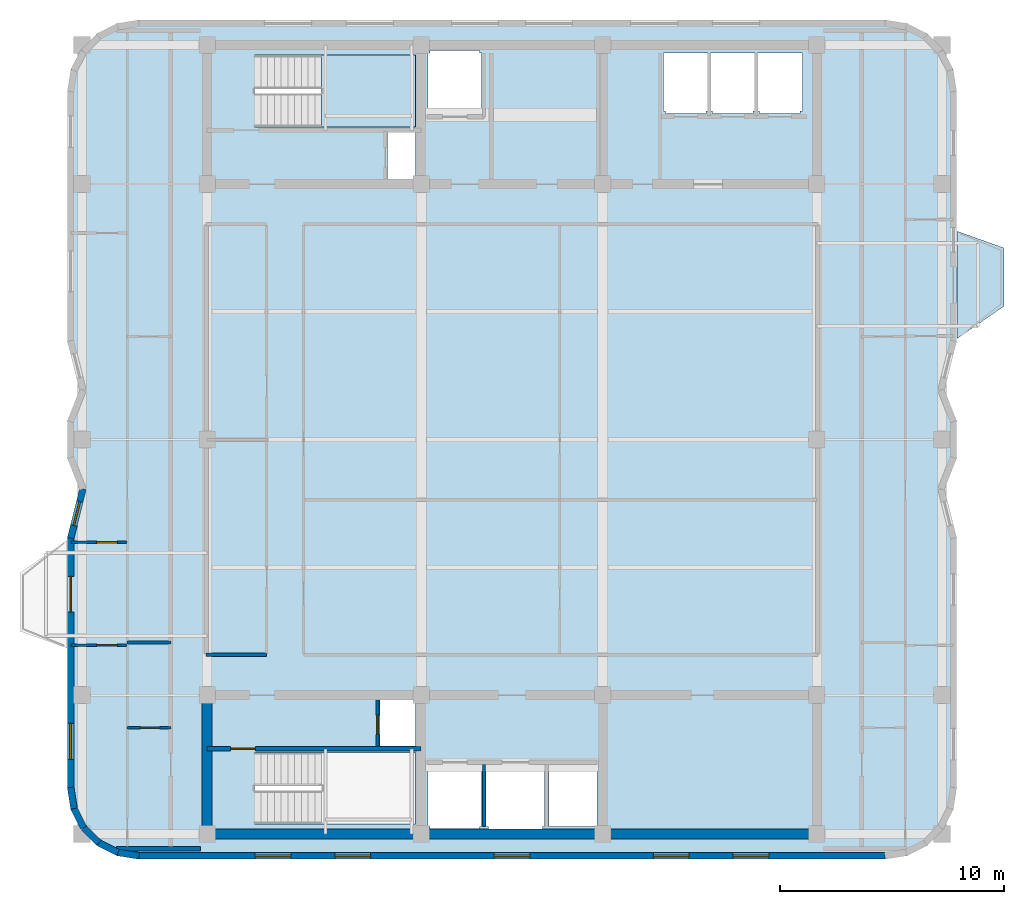
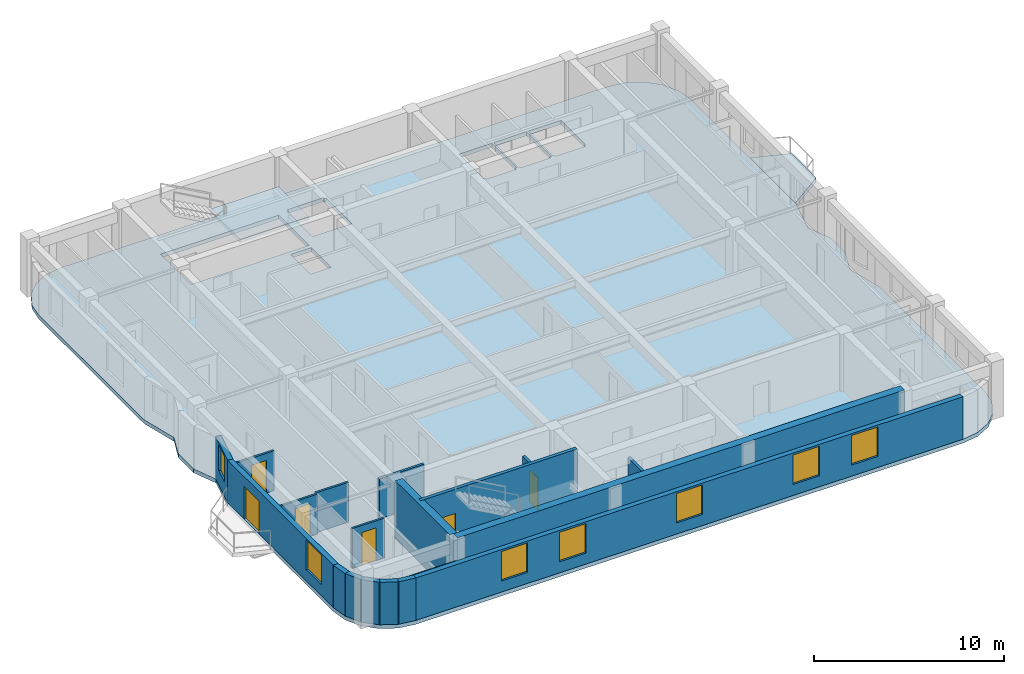
# One storey, part 2 of 8: 19 walls, 7 windows, 6 doors, 3 slabs, 13 openings, 1 element without a shape of its own.
"""IFC4 building model written with IfcOpenShell, lengths in metres."""

from ifc_helpers import new_model, si_unit, direction, frame, frame_2d, origin, place, context, subcontext, project, spatial, polyline, rectangle, outline, extrude, material, layer, layer_set, type_object, element, fill, aggregate, save


model = new_model("IFC4")

# Units and contexts
model_context = context("Model", 3, precision=1e-05, world=origin(), true_north=direction((0.0, 1.0)))
body_context = subcontext(model_context, "Body", "Model", "MODEL_VIEW")
ifc_project = project(units=[si_unit("LENGTHUNIT", "METRE"), si_unit("AREAUNIT", "SQUARE_METRE"), si_unit("VOLUMEUNIT", "CUBIC_METRE"), si_unit("PLANEANGLEUNIT", "RADIAN"), si_unit("MASSUNIT", "GRAM", prefix="KILO")], contexts=[model_context])

# Site, building, storey
site_placement = place(None, origin())
site = spatial("IfcSite", under=ifc_project, at=site_placement, CompositionType="ELEMENT")
building_placement = place(site_placement, origin())
building = spatial("IfcBuilding", under=site, at=building_placement, Name="Svetorya Sky Lyceum", CompositionType="ELEMENT")
storey_placement = place(building_placement, frame((0.0, 0.0, 263.89990234375)))
storey = spatial("IfcBuildingStorey", under=building, at=storey_placement, Name="L66", CompositionType="ELEMENT", Elevation=263.89990234375)

# Slab
ifc_material_1 = material(Name="Concrete C40/50", Category="concrete")
ifc_layer_1 = layer(ifc_material_1, 0.25)
ifc_layer_set_1 = layer_set([ifc_layer_1], Name="Concrete C40/50")
slab_type_1 = type_object("IfcSlabType", Name="SL-BAL-250", PredefinedType="FLOOR", material=ifc_layer_set_1)
slab_1_placement = place(storey_placement, frame((0.0, 0.0, -0.25)))
element("IfcSlab", 1, at=slab_1_placement, inside=storey, type_object=slab_type_1, Name="L66 Chamfered Loggia Balcony BAL-E1", PredefinedType="FLOOR", context=body_context, shape_type="SweptSolid", body=[
    extrude(outline(polyline([(59.050048828125, 32.699951171875), (61.14990234375, 34.14990234375), (61.14990234375, 36.75), (59.050048828125, 37.5), (59.050048828125, 32.699951171875)])), origin(), (0.0, 0.0, 1.0), 0.25),
])

# Stair, slab
stair_type = type_object("IfcStairType", Name="STR-ST-N", PredefinedType="HALF_TURN_STAIR", material=ifc_material_1)
stair_placement = place(storey_placement, origin())
stair = element("IfcStair", 2, at=stair_placement, inside=storey, type_object=stair_type, Name="L66 North Core Smoke-Free Exit Stair N3", PredefinedType="HALF_TURN_STAIR")
ifc_layer_2 = layer(ifc_material_1, 0.199951171875)
ifc_layer_set_2 = layer_set([ifc_layer_2], Name="Concrete C40/50")
slab_type_2 = type_object("IfcSlabType", Name="SL-STR-LAND-200", PredefinedType="LANDING", material=ifc_layer_set_2)
slab_2_placement = place(storey_placement, frame((0.0, 0.0, 1.650146484375)))
slab_2 = element("IfcSlab", 3, at=slab_2_placement, type_object=slab_type_2, Name="ST-N landing 1", PredefinedType="LANDING", context=body_context, shape_type="SweptSolid", body=[
    extrude(outline(polyline([(30.699951171875, 42.14990234375), (34.89990234375, 42.14990234375), (34.89990234375, 45.35009765625), (30.699951171875, 45.35009765625), (30.699951171875, 42.14990234375)])), origin(), (0.0, 0.0, 1.0), 0.199951171875),
])
aggregate(stair, [slab_2])

# Slab
ifc_layer_3 = layer(ifc_material_1, 0.25)
ifc_layer_set_3 = layer_set([ifc_layer_3], Name="Concrete C40/50")
slab_type_3 = type_object("IfcSlabType", Name="SL-TWR-250", PredefinedType="FLOOR", material=ifc_layer_set_3)
slab_3_placement = place(storey_placement, frame((0.0, 0.0, -0.25)))
element("IfcSlab", 4, at=slab_3_placement, inside=storey, type_object=slab_type_3, Name="L66 Structural Floor Slab", PredefinedType="FLOOR", context=body_context, shape_type="SweptSolid", body=[
    extrude(outline(polyline([(19.360107421875, 12.679931640625), (19.5166015625, 11.691162109375), (19.97119140625, 10.799072265625), (20.67919921875, 10.091064453125), (21.571044921875, 9.63671875), (22.56005859375, 9.47998046875), (55.840087890625, 9.47998046875), (56.828857421875, 9.63671875), (57.720947265625, 10.091064453125), (58.428955078125, 10.799072265625), (58.88330078125, 11.691162109375), (59.0400390625, 12.679931640625), (59.0400390625, 23.800048828125), (58.489990234375, 26.0), (59.0400390625, 27.39990234375), (59.0400390625, 29.0), (58.489990234375, 30.39990234375), (59.0400390625, 32.60009765625), (59.0400390625, 43.719970703125), (58.88330078125, 44.708984375), (58.428955078125, 45.600830078125), (57.720947265625, 46.308837890625), (56.828857421875, 46.763427734375), (55.840087890625, 46.919921875), (22.56005859375, 46.919921875), (21.571044921875, 46.763427734375), (20.67919921875, 46.308837890625), (19.97119140625, 45.600830078125), (19.5166015625, 44.708984375), (19.360107421875, 43.719970703125), (19.360107421875, 32.60009765625), (19.909912109375, 30.39990234375), (19.360107421875, 29.0), (19.360107421875, 27.39990234375), (19.909912109375, 26.0), (19.360107421875, 23.800048828125), (19.360107421875, 12.679931640625)]), holes=[polyline([(37.85009765625, 10.949951171875), (37.75, 10.949951171875), (37.75, 10.85009765625), (35.550048828125, 10.85009765625), (35.550048828125, 10.949951171875), (35.449951171875, 10.949951171875), (35.449951171875, 13.64990234375), (35.550048828125, 13.64990234375), (37.75, 13.64990234375), (37.85009765625, 13.64990234375), (37.85009765625, 10.949951171875)]), polyline([(38.14990234375, 10.800048828125), (38.14990234375, 10.949951171875), (38.050048828125, 10.949951171875), (38.050048828125, 13.64990234375), (38.14990234375, 13.64990234375), (38.14990234375, 13.699951171875), (40.550048828125, 13.699951171875), (40.550048828125, 13.64990234375), (40.64990234375, 13.64990234375), (40.64990234375, 10.949951171875), (40.550048828125, 10.949951171875), (40.550048828125, 10.800048828125), (38.14990234375, 10.800048828125)]), polyline([(27.719970703125, 11.050048828125), (27.719970703125, 14.25), (34.89990234375, 14.25), (34.89990234375, 11.050048828125), (27.719970703125, 11.050048828125)]), polyline([(33.300048828125, 14.52001953125), (33.300048828125, 16.580078125), (34.89990234375, 16.580078125), (34.89990234375, 14.52001953125), (33.300048828125, 14.52001953125)]), polyline([(33.64990234375, 39.820068359375), (33.64990234375, 41.89990234375), (34.89990234375, 41.89990234375), (34.89990234375, 39.820068359375), (33.64990234375, 39.820068359375)]), polyline([(27.719970703125, 42.14990234375), (27.719970703125, 45.35009765625), (34.89990234375, 45.35009765625), (34.89990234375, 42.14990234375), (27.719970703125, 42.14990234375)]), polyline([(37.75, 42.75), (35.550048828125, 42.75), (35.449951171875, 42.75), (35.449951171875, 45.449951171875), (35.550048828125, 45.449951171875), (35.550048828125, 45.550048828125), (37.75, 45.550048828125), (37.75, 45.449951171875), (37.85009765625, 45.449951171875), (37.85009765625, 42.75), (37.75, 42.75)]), polyline([(40.85009765625, 10.949951171875), (40.85009765625, 13.64990234375), (43.0, 13.64990234375), (43.0, 10.949951171875), (40.85009765625, 10.949951171875)]), polyline([(46.050048828125, 42.75), (46.050048828125, 42.85009765625), (45.949951171875, 42.85009765625), (45.949951171875, 45.449951171875), (46.050048828125, 45.449951171875), (47.85009765625, 45.449951171875), (47.949951171875, 45.449951171875), (47.949951171875, 42.85009765625), (47.85009765625, 42.85009765625), (47.85009765625, 42.75), (46.050048828125, 42.75)]), polyline([(50.050048828125, 42.85009765625), (49.949951171875, 42.85009765625), (49.949951171875, 42.75), (48.14990234375, 42.75), (48.14990234375, 42.85009765625), (48.050048828125, 42.85009765625), (48.050048828125, 45.449951171875), (48.14990234375, 45.449951171875), (49.949951171875, 45.449951171875), (50.050048828125, 45.449951171875), (50.050048828125, 42.85009765625)]), polyline([(52.14990234375, 42.85009765625), (52.050048828125, 42.85009765625), (52.050048828125, 42.75), (50.25, 42.75), (50.25, 42.85009765625), (50.14990234375, 42.85009765625), (50.14990234375, 45.449951171875), (50.25, 45.449951171875), (52.050048828125, 45.449951171875), (52.14990234375, 45.449951171875), (52.14990234375, 42.85009765625)])]), origin(), (0.0, 0.0, 1.0), 0.25),
])

# Walls
ifc_material_2 = material(Name="Concrete C50/60", Category="concrete")
ifc_layer_4 = layer(ifc_material_2, 0.449951171875)
ifc_layer_set_4 = layer_set([ifc_layer_4], Name="Concrete C50/60")
wall_type_1 = type_object("IfcWallType", Name="WL-CORE-450", PredefinedType="SHEAR", material=ifc_layer_set_4)
wall_1_placement = place(storey_placement, frame((52.800048828125, 10.60009765625, 0.0), z_axis=(0.0, 0.0, 1.0), x_axis=(-1.0, 0.0, 0.0)))
element("IfcWall", 5, at=wall_1_placement, inside=storey, type_object=wall_type_1, Name="L66 SC Outer Core Shear Wall", PredefinedType="SHEAR", context=body_context, shape_type="SweptSolid", body=[
    extrude(rectangle(XDim=27.199951171875, YDim=0.449951171875, at=frame_2d((13.60009765625, 0.0))), origin(), (0.0, 0.0, 1.0), 3.7001953125),
])
wall_2_placement = place(storey_placement, frame((25.60009765625, 10.824951171875, 0.0), z_axis=(0.0, 0.0, 1.0), x_axis=(0.0, 1.0, 0.0)))
element("IfcWall", 6, at=wall_2_placement, inside=storey, type_object=wall_type_1, Name="L66 SC West Core Shear Wall", PredefinedType="SHEAR", context=body_context, shape_type="SweptSolid", body=[
    extrude(rectangle(XDim=5.75, YDim=0.449951171875, at=frame_2d((2.875, 0.0))), origin(), (0.0, 0.0, 1.0), 3.7001953125),
])
ifc_material_3 = material(Name="Putilovo limestone rainscreen on autoclaved cellular masonry", Category="masonry")
ifc_layer_5 = layer(ifc_material_3, 0.300048828125)
ifc_layer_set_5 = layer_set([ifc_layer_5], Name="Putilovo limestone rainscreen on autoclaved cellular masonry")
wall_type_2 = type_object("IfcWallType", Name="WL-EXT-300", PredefinedType="SOLIDWALL", material=ifc_layer_set_5)
wall_3_placement = place(storey_placement, frame((19.510009765625, 12.679931640625, 0.0), z_axis=(0.0, 0.0, 1.0), x_axis=(0.156343617883, -0.987702725088, 0.0)))
element("IfcWall", 7, at=wall_3_placement, inside=storey, type_object=wall_type_2, Name="L66 Limestone Exterior Wall 1M", PredefinedType="SOLIDWALL", context=body_context, shape_type="SweptSolid", body=[
    extrude(rectangle(XDim=0.9541015625, YDim=0.300048828125, at=frame_2d((0.47705078125, 0.0))), origin(), (0.0, 0.0, 1.0), 2.72998046875),
])
for number, where, z_axis, x_axis, name in (
    (8, (19.6591796875, 11.737548828125, 0.0), (0.0, 0.0, 1.0), (0.454056065666, -0.890973113642, 0.0), "L66 Limestone Exterior Wall 2M"),
    (9, (20.092529296875, 10.88720703125, 0.0), (0.0, 0.0, 1.0), (0.707106781187, -0.707106781187, 0.0), "L66 Limestone Exterior Wall 3M"),
):
    element("IfcWall", number, at=place(storey_placement, frame(where, z_axis=z_axis, x_axis=x_axis)), inside=storey, type_object=wall_type_2, Name=name, PredefinedType="SOLIDWALL", context=body_context, shape_type="SweptSolid", body=[
        extrude(rectangle(XDim=0.954345703125, YDim=0.300048828125, at=frame_2d((0.47705078125, 0.0))), origin(), (0.0, 0.0, 1.0), 2.72998046875),
    ])
wall_4_placement = place(storey_placement, frame((20.767333984375, 10.21240234375, 0.0), z_axis=(0.0, 0.0, 1.0), x_axis=(0.891023873617, -0.45395644796, 0.0)))
element("IfcWall", 10, at=wall_4_placement, inside=storey, type_object=wall_type_2, Name="L66 Limestone Exterior Wall 4M", PredefinedType="SOLIDWALL", context=body_context, shape_type="SweptSolid", body=[
    extrude(rectangle(XDim=0.9541015625, YDim=0.300048828125, at=frame_2d((0.47705078125, 0.0))), origin(), (0.0, 0.0, 1.0), 2.72998046875),
])
wall_5_placement = place(storey_placement, frame((21.617431640625, 9.779296875, 0.0), z_axis=(0.0, 0.0, 1.0), x_axis=(0.987669453596, -0.156553666304, 0.0)))
element("IfcWall", 11, at=wall_5_placement, inside=storey, type_object=wall_type_2, Name="L66 Limestone Exterior Wall 5M", PredefinedType="SOLIDWALL", context=body_context, shape_type="SweptSolid", body=[
    extrude(rectangle(XDim=0.954345703125, YDim=0.300048828125, at=frame_2d((0.47705078125, 0.0))), origin(), (0.0, 0.0, 1.0), 2.72998046875),
])

# Wall, openings, windows
wall_6_placement = place(storey_placement, frame((22.56005859375, 9.6298828125, 0.0), z_axis=(0.0, 0.0, 1.0), x_axis=(1.0, 0.0, 0.0)))
wall_6 = element("IfcWall", 12, at=wall_6_placement, inside=storey, type_object=wall_type_2, Name="L66 Limestone Exterior Wall 6M", PredefinedType="SOLIDWALL", context=body_context, shape_type="SweptSolid", body=[
    extrude(rectangle(XDim=33.280029296875, YDim=0.300048828125, at=frame_2d((16.64013671875, 0.0))), origin(), (0.0, 0.0, 1.0), 2.72998046875),
])
opening_1_placement = place(wall_6_placement, frame((5.179931640625, 0.0, 0.7099609375)))
opening_1 = element("IfcOpeningElement", 13, at=opening_1_placement, cuts=wall_6, Name="Opening W-R4", PredefinedType="OPENING", context=body_context, shape_type="SweptSolid", body=[
    extrude(rectangle(XDim=1.60009765625, YDim=1.89990234375, at=frame_2d((0.800048828125, 0.949951171875))), frame((0.0, 0.159912109375, 0.0), z_axis=(0.0, -1.0, 0.0), x_axis=(1.0, 0.0, 0.0)), (0.0, 0.0, 1.0), 0.320068359375),
])
opening_2_placement = place(wall_6_placement, frame((8.7333984375, 0.0, 0.7099609375)))
opening_2 = element("IfcOpeningElement", 14, at=opening_2_placement, cuts=wall_6, Name="Opening W-R4", PredefinedType="OPENING", context=body_context, shape_type="SweptSolid", body=[
    extrude(rectangle(XDim=1.60009765625, YDim=1.89990234375, at=frame_2d((0.800048828125, 0.949951171875))), frame((0.0, 0.159912109375, 0.0), z_axis=(0.0, -1.0, 0.0), x_axis=(1.0, 0.0, 0.0)), (0.0, 0.0, 1.0), 0.320068359375),
])
opening_3_placement = place(wall_6_placement, frame((15.840087890625, 0.0, 0.7099609375)))
opening_3 = element("IfcOpeningElement", 15, at=opening_3_placement, cuts=wall_6, Name="Opening W-R4", PredefinedType="OPENING", context=body_context, shape_type="SweptSolid", body=[
    extrude(rectangle(XDim=1.60009765625, YDim=1.89990234375, at=frame_2d((0.800048828125, 0.949951171875))), frame((0.0, 0.159912109375, 0.0), z_axis=(0.0, -1.0, 0.0), x_axis=(1.0, 0.0, 0.0)), (0.0, 0.0, 1.0), 0.320068359375),
])
opening_4_placement = place(wall_6_placement, frame((22.94677734375, 0.0, 0.7099609375)))
opening_4 = element("IfcOpeningElement", 16, at=opening_4_placement, cuts=wall_6, Name="Opening W-R4", PredefinedType="OPENING", context=body_context, shape_type="SweptSolid", body=[
    extrude(rectangle(XDim=1.60009765625, YDim=1.89990234375, at=frame_2d((0.800048828125, 0.949951171875))), frame((0.0, 0.159912109375, 0.0), z_axis=(0.0, -1.0, 0.0), x_axis=(1.0, 0.0, 0.0)), (0.0, 0.0, 1.0), 0.320068359375),
])
opening_5_placement = place(wall_6_placement, frame((26.5, 0.0, 0.7099609375)))
opening_5 = element("IfcOpeningElement", 17, at=opening_5_placement, cuts=wall_6, Name="Opening W-R4", PredefinedType="OPENING", context=body_context, shape_type="SweptSolid", body=[
    extrude(rectangle(XDim=1.60009765625, YDim=1.89990234375, at=frame_2d((0.800048828125, 0.949951171875))), frame((0.0, 0.159912109375, 0.0), z_axis=(0.0, -1.0, 0.0), x_axis=(1.0, 0.0, 0.0)), (0.0, 0.0, 1.0), 0.320068359375),
])
ifc_material_4 = material(Name="Thermally broken aluminium frame with triple low-E glazing", Category="aluminium")
window_type_1 = type_object("IfcWindowType", Name="WN-RES-160", PartitioningType="DOUBLE_PANEL_VERTICAL", PredefinedType="WINDOW", material=ifc_material_4)
window_1_placement = place(opening_1_placement, origin())
window_1 = element("IfcWindow", 18, at=window_1_placement, inside=storey, type_object=window_type_1, Name="L66 Facade Window W-R4.6M.1", OverallHeight=1.89990234375, OverallWidth=1.60009765625, PartitioningType="SINGLE_PANEL", PredefinedType="WINDOW", context=body_context, shape_type="SweptSolid", body=[
    extrude(rectangle(XDim=1.60009765625, YDim=1.89990234375, at=frame_2d((0.800048828125, 0.949951171875))), frame((0.0, 0.030029296875, 0.0), z_axis=(0.0, -1.0, 0.0), x_axis=(1.0, 0.0, 0.0)), (0.0, 0.0, 1.0), 0.06005859375),
])
fill(opening_1, window_1)
window_2_placement = place(opening_2_placement, origin())
window_2 = element("IfcWindow", 19, at=window_2_placement, inside=storey, type_object=window_type_1, Name="L66 Facade Window W-R4.6M.2", OverallHeight=1.89990234375, OverallWidth=1.60009765625, PartitioningType="SINGLE_PANEL", PredefinedType="WINDOW", context=body_context, shape_type="SweptSolid", body=[
    extrude(rectangle(XDim=1.60009765625, YDim=1.89990234375, at=frame_2d((0.800048828125, 0.949951171875))), frame((0.0, 0.030029296875, 0.0), z_axis=(0.0, -1.0, 0.0), x_axis=(1.0, 0.0, 0.0)), (0.0, 0.0, 1.0), 0.06005859375),
])
fill(opening_2, window_2)
window_3_placement = place(opening_3_placement, origin())
window_3 = element("IfcWindow", 20, at=window_3_placement, inside=storey, type_object=window_type_1, Name="L66 Facade Window W-R4.6M.3", OverallHeight=1.89990234375, OverallWidth=1.60009765625, PartitioningType="SINGLE_PANEL", PredefinedType="WINDOW", context=body_context, shape_type="SweptSolid", body=[
    extrude(rectangle(XDim=1.60009765625, YDim=1.89990234375, at=frame_2d((0.800048828125, 0.949951171875))), frame((0.0, 0.030029296875, 0.0), z_axis=(0.0, -1.0, 0.0), x_axis=(1.0, 0.0, 0.0)), (0.0, 0.0, 1.0), 0.06005859375),
])
fill(opening_3, window_3)
window_4_placement = place(opening_4_placement, origin())
window_4 = element("IfcWindow", 21, at=window_4_placement, inside=storey, type_object=window_type_1, Name="L66 Facade Window W-R4.6M.4", OverallHeight=1.89990234375, OverallWidth=1.60009765625, PartitioningType="SINGLE_PANEL", PredefinedType="WINDOW", context=body_context, shape_type="SweptSolid", body=[
    extrude(rectangle(XDim=1.60009765625, YDim=1.89990234375, at=frame_2d((0.800048828125, 0.949951171875))), frame((0.0, 0.030029296875, 0.0), z_axis=(0.0, -1.0, 0.0), x_axis=(1.0, 0.0, 0.0)), (0.0, 0.0, 1.0), 0.06005859375),
])
fill(opening_4, window_4)
window_5_placement = place(opening_5_placement, origin())
window_5 = element("IfcWindow", 22, at=window_5_placement, inside=storey, type_object=window_type_1, Name="L66 Facade Window W-R4.6M.5", OverallHeight=1.89990234375, OverallWidth=1.60009765625, PartitioningType="SINGLE_PANEL", PredefinedType="WINDOW", context=body_context, shape_type="SweptSolid", body=[
    extrude(rectangle(XDim=1.60009765625, YDim=1.89990234375, at=frame_2d((0.800048828125, 0.949951171875))), frame((0.0, 0.030029296875, 0.0), z_axis=(0.0, -1.0, 0.0), x_axis=(1.0, 0.0, 0.0)), (0.0, 0.0, 1.0), 0.06005859375),
])
fill(opening_5, window_5)

# Wall, opening, window
wall_7_placement = place(storey_placement, frame((20.06005859375, 26.0, 0.0), z_axis=(0.0, 0.0, 1.0), x_axis=(-0.242560957029, -0.970136166796, 0.0)))
wall_7 = element("IfcWall", 23, at=wall_7_placement, inside=storey, type_object=wall_type_2, Name="L66 Limestone Exterior Wall 35M", PredefinedType="SOLIDWALL", context=body_context, shape_type="SweptSolid", body=[
    extrude(rectangle(XDim=2.267578125, YDim=0.300048828125, at=frame_2d((1.1337890625, 0.0))), origin(), (0.0, 0.0, 1.0), 2.72998046875),
])
opening_6_placement = place(wall_7_placement, frame((0.583984375, 0.0, 0.919921875)))
opening_6 = element("IfcOpeningElement", 24, at=opening_6_placement, cuts=wall_7, Name="Opening W-R3", PredefinedType="OPENING", context=body_context, shape_type="SweptSolid", body=[
    extrude(rectangle(XDim=1.10009765625, YDim=1.64990234375, at=frame_2d((0.550048828125, 0.824951171875))), frame((0.0, 0.159912109375, 0.0), z_axis=(0.0, -1.0, 0.0), x_axis=(1.0, 0.0, 0.0)), (0.0, 0.0, 1.0), 0.320068359375),
])
window_type_2 = type_object("IfcWindowType", Name="WN-RES-110", PartitioningType="SINGLE_PANEL", PredefinedType="WINDOW", material=ifc_material_4)
window_6_placement = place(opening_6_placement, origin())
window_6 = element("IfcWindow", 25, at=window_6_placement, inside=storey, type_object=window_type_2, Name="L66 Facade Window W-R3.35M.1", OverallHeight=1.64990234375, OverallWidth=1.10009765625, PartitioningType="SINGLE_PANEL", PredefinedType="WINDOW", context=body_context, shape_type="SweptSolid", body=[
    extrude(rectangle(XDim=1.10009765625, YDim=1.64990234375, at=frame_2d((0.550048828125, 0.824951171875))), frame((0.0, 0.030029296875, 0.0), z_axis=(0.0, -1.0, 0.0), x_axis=(1.0, 0.0, 0.0)), (0.0, 0.0, 1.0), 0.06005859375),
])
fill(opening_6, window_6)

# Wall, openings, door, window
wall_8_placement = place(storey_placement, frame((19.510009765625, 23.800048828125, 0.0), z_axis=(0.0, 0.0, 1.0), x_axis=(0.0, -1.0, 0.0)))
wall_8 = element("IfcWall", 26, at=wall_8_placement, inside=storey, type_object=wall_type_2, Name="L66 Limestone Exterior Wall 36M", PredefinedType="SOLIDWALL", context=body_context, shape_type="SweptSolid", body=[
    extrude(rectangle(XDim=11.1201171875, YDim=0.300048828125, at=frame_2d((5.56005859375, 0.0))), origin(), (0.0, 0.0, 1.0), 2.72998046875),
])
opening_7_placement = place(wall_8_placement, frame((1.699951171875, 0.0, 0.0)))
opening_7 = element("IfcOpeningElement", 27, at=opening_7_placement, cuts=wall_8, Name="Opening D-BL1", PredefinedType="OPENING", context=body_context, shape_type="SweptSolid", body=[
    extrude(rectangle(XDim=1.60009765625, YDim=2.10009765625, at=frame_2d((0.800048828125, 1.050048828125))), frame((0.0, 0.159912109375, 0.0), z_axis=(0.0, -1.0, 0.0), x_axis=(1.0, 0.0, 0.0)), (0.0, 0.0, 1.0), 0.320068359375),
])
opening_8_placement = place(wall_8_placement, frame((8.264892578125, 0.0, 0.7099609375)))
opening_8 = element("IfcOpeningElement", 28, at=opening_8_placement, cuts=wall_8, Name="Opening W-R4", PredefinedType="OPENING", context=body_context, shape_type="SweptSolid", body=[
    extrude(rectangle(XDim=1.60009765625, YDim=1.89990234375, at=frame_2d((0.800048828125, 0.949951171875))), frame((0.0, 0.159912109375, 0.0), z_axis=(0.0, -1.0, 0.0), x_axis=(1.0, 0.0, 0.0)), (0.0, 0.0, 1.0), 0.320068359375),
])
ifc_material_5 = material(Name="Insulated glazed aluminium balcony door", Category="aluminium")
door_type_1 = type_object("IfcDoorType", Name="DR-BAL-1600", OperationType="DOUBLE_DOOR_SINGLE_SWING", PredefinedType="DOOR", material=ifc_material_5)
door_1_placement = place(opening_7_placement, origin())
door_1 = element("IfcDoor", 29, at=door_1_placement, inside=storey, type_object=door_type_1, Name="L66 Balcony BAL-W1 Door", OperationType="DOUBLE_DOOR_SINGLE_SWING", OverallHeight=2.10009765625, OverallWidth=1.60009765625, PredefinedType="DOOR", context=body_context, shape_type="SweptSolid", body=[
    extrude(rectangle(XDim=1.60009765625, YDim=2.10009765625, at=frame_2d((0.800048828125, 1.050048828125))), frame((0.0, 0.02490234375, 0.0), z_axis=(0.0, -1.0, 0.0), x_axis=(1.0, 0.0, 0.0)), (0.0, 0.0, 1.0), 0.050048828125),
])
fill(opening_7, door_1)
window_7_placement = place(opening_8_placement, origin())
window_7 = element("IfcWindow", 30, at=window_7_placement, inside=storey, type_object=window_type_1, Name="L66 Facade Window W-R4.36M.1", OverallHeight=1.89990234375, OverallWidth=1.60009765625, PartitioningType="SINGLE_PANEL", PredefinedType="WINDOW", context=body_context, shape_type="SweptSolid", body=[
    extrude(rectangle(XDim=1.60009765625, YDim=1.89990234375, at=frame_2d((0.800048828125, 0.949951171875))), frame((0.0, 0.030029296875, 0.0), z_axis=(0.0, -1.0, 0.0), x_axis=(1.0, 0.0, 0.0)), (0.0, 0.0, 1.0), 0.06005859375),
])
fill(opening_8, window_7)

# Wall, opening, door
ifc_material_6 = material(Name="Twin-stud galvanized framing with double fireboard", Category="gypsum")
ifc_layer_6 = layer(ifc_material_6, 0.1201171875)
ifc_layer_set_6 = layer_set([ifc_layer_6], Name="Twin-stud galvanized framing with double fireboard")
wall_type_3 = type_object("IfcWallType", Name="WL-PART-120", PredefinedType="PARTITIONING", material=ifc_layer_set_6)
wall_9_placement = place(storey_placement, frame((22.030029296875, 15.35009765625, 0.0), z_axis=(0.0, 0.0, 1.0), x_axis=(1.0, 0.0, 0.0)))
wall_9 = element("IfcWall", 31, at=wall_9_placement, inside=storey, type_object=wall_type_3, Name="L66 Interior Partition W1-WH1", PredefinedType="PARTITIONING", context=body_context, shape_type="SweptSolid", body=[
    extrude(rectangle(XDim=1.949951171875, YDim=0.1201171875, at=frame_2d((0.97509765625, 0.0))), origin(), (0.0, 0.0, 1.0), 2.56005859375),
])
opening_9_placement = place(wall_9_placement, frame((0.60009765625, 0.0, 0.0)))
opening_9 = element("IfcOpeningElement", 32, at=opening_9_placement, cuts=wall_9, Name="Opening D-BT1", PredefinedType="OPENING", context=body_context, shape_type="SweptSolid", body=[
    extrude(rectangle(XDim=0.85009765625, YDim=2.10009765625, at=frame_2d((0.425048828125, 1.050048828125))), frame((0.0, 0.070068359375, 0.0), z_axis=(0.0, -1.0, 0.0), x_axis=(1.0, 0.0, 0.0)), (0.0, 0.0, 1.0), 0.14013671875),
])
ifc_material_7 = material(Name="Moisture-resistant laminate bathroom door")
door_type_2 = type_object("IfcDoorType", Name="DR-WET-850", OperationType="SINGLE_SWING_LEFT", PredefinedType="DOOR", material=ifc_material_7)
door_2_placement = place(opening_9_placement, origin())
door_2 = element("IfcDoor", 33, at=door_2_placement, inside=storey, type_object=door_type_2, Name="Apartment W1 Bathroom Door", OperationType="SINGLE_SWING_LEFT", OverallHeight=2.10009765625, OverallWidth=0.85009765625, PredefinedType="DOOR", context=body_context, shape_type="SweptSolid", body=[
    extrude(rectangle(XDim=0.85009765625, YDim=2.10009765625, at=frame_2d((0.425048828125, 1.050048828125))), frame((0.0, 0.02490234375, 0.0), z_axis=(0.0, -1.0, 0.0), x_axis=(1.0, 0.0, 0.0)), (0.0, 0.0, 1.0), 0.050048828125),
])
fill(opening_9, door_2)

# Wall
wall_10_placement = place(storey_placement, frame((22.030029296875, 19.14990234375, 0.0), z_axis=(0.0, 0.0, 1.0), x_axis=(1.0, 0.0, 0.0)))
element("IfcWall", 34, at=wall_10_placement, inside=storey, type_object=wall_type_3, Name="L66 Interior Partition W1-WH2", PredefinedType="PARTITIONING", context=body_context, shape_type="SweptSolid", body=[
    extrude(rectangle(XDim=1.949951171875, YDim=0.1201171875, at=frame_2d((0.97509765625, 0.0))), origin(), (0.0, 0.0, 1.0), 2.56005859375),
])

# Wall, opening, door
wall_11_placement = place(storey_placement, frame((19.530029296875, 19.02001953125, 0.0), z_axis=(0.0, 0.0, 1.0), x_axis=(1.0, 0.0, 0.0)))
wall_11 = element("IfcWall", 35, at=wall_11_placement, inside=storey, type_object=wall_type_3, Name="L66 Interior Partition W1-WL1", PredefinedType="PARTITIONING", context=body_context, shape_type="SweptSolid", body=[
    extrude(rectangle(XDim=2.5, YDim=0.1201171875, at=frame_2d((1.25, 0.0))), origin(), (0.0, 0.0, 1.0), 2.56005859375),
])
opening_10_placement = place(wall_11_placement, frame((1.14990234375, 0.0, 0.0)))
opening_10 = element("IfcOpeningElement", 36, at=opening_10_placement, cuts=wall_11, Name="Opening D-RM1", PredefinedType="OPENING", context=body_context, shape_type="SweptSolid", body=[
    extrude(rectangle(XDim=0.89990234375, YDim=2.10009765625, at=frame_2d((0.449951171875, 1.050048828125))), frame((0.0, 0.070068359375, 0.0), z_axis=(0.0, -1.0, 0.0), x_axis=(1.0, 0.0, 0.0)), (0.0, 0.0, 1.0), 0.14013671875),
])
ifc_material_8 = material(Name="Lacquered birch veneer internal door")
door_type_3 = type_object("IfcDoorType", Name="DR-INT-900", OperationType="SINGLE_SWING_LEFT", PredefinedType="DOOR", material=ifc_material_8)
door_3_placement = place(opening_10_placement, origin())
door_3 = element("IfcDoor", 37, at=door_3_placement, inside=storey, type_object=door_type_3, Name="Apartment W1 Master Bedroom Door", OperationType="SINGLE_SWING_LEFT", OverallHeight=2.10009765625, OverallWidth=0.89990234375, PredefinedType="DOOR", context=body_context, shape_type="SweptSolid", body=[
    extrude(rectangle(XDim=0.89990234375, YDim=2.10009765625, at=frame_2d((0.449951171875, 1.050048828125))), frame((0.0, 0.02490234375, 0.0), z_axis=(0.0, -1.0, 0.0), x_axis=(1.0, 0.0, 0.0)), (0.0, 0.0, 1.0), 0.050048828125),
])
fill(opening_10, door_3)

wall_12_placement = place(storey_placement, frame((19.530029296875, 23.6201171875, 0.0), z_axis=(0.0, 0.0, 1.0), x_axis=(1.0, 0.0, 0.0)))
wall_12 = element("IfcWall", 38, at=wall_12_placement, inside=storey, type_object=wall_type_3, Name="L66 Interior Partition W1-WL2", PredefinedType="PARTITIONING", context=body_context, shape_type="SweptSolid", body=[
    extrude(rectangle(XDim=2.5, YDim=0.1201171875, at=frame_2d((1.25, 0.0))), origin(), (0.0, 0.0, 1.0), 2.56005859375),
])
opening_11_placement = place(wall_12_placement, frame((1.14990234375, 0.0, 0.0)))
opening_11 = element("IfcOpeningElement", 39, at=opening_11_placement, cuts=wall_12, Name="Opening D-RM1", PredefinedType="OPENING", context=body_context, shape_type="SweptSolid", body=[
    extrude(rectangle(XDim=0.89990234375, YDim=2.10009765625, at=frame_2d((0.449951171875, 1.050048828125))), frame((0.0, 0.070068359375, 0.0), z_axis=(0.0, -1.0, 0.0), x_axis=(1.0, 0.0, 0.0)), (0.0, 0.0, 1.0), 0.14013671875),
])
door_4_placement = place(opening_11_placement, origin())
door_4 = element("IfcDoor", 40, at=door_4_placement, inside=storey, type_object=door_type_3, Name="Apartment W1 Bedroom 2 Door", OperationType="SINGLE_SWING_RIGHT", OverallHeight=2.10009765625, OverallWidth=0.89990234375, PredefinedType="DOOR", context=body_context, shape_type="SweptSolid", body=[
    extrude(rectangle(XDim=0.89990234375, YDim=2.10009765625, at=frame_2d((0.449951171875, 1.050048828125))), frame((0.0, 0.02490234375, 0.0), z_axis=(0.0, -1.0, 0.0), x_axis=(1.0, 0.0, 0.0)), (0.0, 0.0, 1.0), 0.050048828125),
])
fill(opening_11, door_4)

ifc_material_9 = material(Name="Autoclaved cellular masonry blockwork with acoustic render", Category="masonry")
ifc_layer_7 = layer(ifc_material_9, 0.14990234375)
ifc_layer_set_7 = layer_set([ifc_layer_7], Name="Autoclaved cellular masonry blockwork with acoustic render")
wall_type_4 = type_object("IfcWallType", Name="WL-PART-150", PredefinedType="PARTITIONING", material=ifc_layer_set_7)
wall_13_placement = place(storey_placement, frame((33.199951171875, 14.5, 0.0), z_axis=(0.0, 0.0, 1.0), x_axis=(0.0, 1.0, 0.0)))
wall_13 = element("IfcWall", 41, at=wall_13_placement, inside=storey, type_object=wall_type_4, Name="L66 Interior Partition SC-AIRDIV", PredefinedType="PARTITIONING", context=body_context, shape_type="SweptSolid", body=[
    extrude(rectangle(XDim=2.080078125, YDim=0.14990234375, at=frame_2d((1.0400390625, 0.0))), origin(), (0.0, 0.0, 1.0), 2.56005859375),
])
opening_12_placement = place(wall_13_placement, frame((0.550048828125, 0.0, 0.0)))
opening_12 = element("IfcOpeningElement", 42, at=opening_12_placement, cuts=wall_13, Name="Opening D-SH1", PredefinedType="OPENING", context=body_context, shape_type="SweptSolid", body=[
    extrude(rectangle(XDim=0.85009765625, YDim=2.050048828125, at=frame_2d((0.425048828125, 1.02490234375))), frame((0.0, 0.0849609375, 0.0), z_axis=(0.0, -1.0, 0.0), x_axis=(1.0, 0.0, 0.0)), (0.0, 0.0, 1.0), 0.169921875),
])
ifc_material_10 = material(Name="Insulated galvanized riser inspection fire door")
door_type_4 = type_object("IfcDoorType", Name="DR-SHFT-850", OperationType="SINGLE_SWING_LEFT", PredefinedType="TRAPDOOR", material=ifc_material_10)
door_5_placement = place(opening_12_placement, origin())
door_5 = element("IfcDoor", 43, at=door_5_placement, inside=storey, type_object=door_type_4, Name="L66 South Riser Access Door", OperationType="SINGLE_SWING_RIGHT", OverallHeight=2.050048828125, OverallWidth=0.85009765625, PredefinedType="TRAPDOOR", context=body_context, shape_type="SweptSolid", body=[
    extrude(rectangle(XDim=0.85009765625, YDim=2.050048828125, at=frame_2d((0.425048828125, 1.02490234375))), frame((0.0, 0.02490234375, 0.0), z_axis=(0.0, -1.0, 0.0), x_axis=(1.0, 0.0, 0.0)), (0.0, 0.0, 1.0), 0.050048828125),
])
fill(opening_12, door_5)

# Walls
wall_14_placement = place(storey_placement, frame((37.949951171875, 10.949951171875, 0.0), z_axis=(0.0, 0.0, 1.0), x_axis=(0.0, 1.0, 0.0)))
element("IfcWall", 44, at=wall_14_placement, inside=storey, type_object=wall_type_4, Name="L66 Interior Partition SC-SHD1", PredefinedType="PARTITIONING", context=body_context, shape_type="SweptSolid", body=[
    extrude(rectangle(XDim=2.75, YDim=0.14990234375, at=frame_2d((1.375, 0.0))), origin(), (0.0, 0.0, 1.0), 2.56005859375),
])
wall_15_placement = place(storey_placement, frame((25.550048828125, 18.60009765625, 0.0), z_axis=(0.0, 0.0, 1.0), x_axis=(1.0, 0.0, 0.0)))
element("IfcWall", 45, at=wall_15_placement, inside=storey, type_object=wall_type_4, Name="L66 Interior Partition OFF-CS-W", PredefinedType="PARTITIONING", context=body_context, shape_type="SweptSolid", body=[
    extrude(rectangle(XDim=2.699951171875, YDim=0.14990234375, at=frame_2d((1.35009765625, 0.0))), origin(), (0.0, 0.0, 1.0), 2.56005859375),
])
ifc_material_11 = material(Name="Autoclaved cellular masonry blockwork with gypsum plaster", Category="masonry")
ifc_layer_8 = layer(ifc_material_11, 0.199951171875)
ifc_layer_set_8 = layer_set([ifc_layer_8], Name="Autoclaved cellular masonry blockwork with gypsum plaster")
wall_type_5 = type_object("IfcWallType", Name="WL-PART-200", PredefinedType="PARTITIONING", material=ifc_layer_set_8)
wall_16_placement = place(storey_placement, frame((21.5458984375, 9.949951171875, 0.0), z_axis=(0.0, 0.0, 1.0), x_axis=(1.0, 0.0, 0.0)))
element("IfcWall", 46, at=wall_16_placement, inside=storey, type_object=wall_type_5, Name="L66 Interior Partition W-CAP-S", PredefinedType="PARTITIONING", context=body_context, shape_type="SweptSolid", body=[
    extrude(rectangle(XDim=3.754150390625, YDim=0.199951171875, at=frame_2d((1.876953125, 0.0))), origin(), (0.0, 0.0, 1.0), 2.56005859375),
])

# Wall, opening, door
ifc_layer_9 = layer(ifc_material_2, 0.199951171875)
ifc_layer_set_9 = layer_set([ifc_layer_9], Name="Concrete C50/60")
wall_type_6 = type_object("IfcWallType", Name="WL-SHW-200", PredefinedType="SHEAR", material=ifc_layer_set_9)
wall_17_placement = place(storey_placement, frame((25.60009765625, 14.39990234375, 0.0), z_axis=(0.0, 0.0, 1.0), x_axis=(1.0, 0.0, 0.0)))
wall_17 = element("IfcWall", 47, at=wall_17_placement, inside=storey, type_object=wall_type_6, Name="L66 Structural Stair Shaft Wall SC-STW", PredefinedType="SHEAR", context=body_context, shape_type="SweptSolid", body=[
    extrude(rectangle(XDim=9.5498046875, YDim=0.199951171875, at=frame_2d((4.77490234375, 0.0))), origin(), (0.0, 0.0, 1.0), 3.7001953125),
])
opening_13_placement = place(wall_17_placement, frame((1.050048828125, 0.0, 0.0)))
opening_13 = element("IfcOpeningElement", 48, at=opening_13_placement, cuts=wall_17, Name="Opening D-ST1", PredefinedType="OPENING", context=body_context, shape_type="SweptSolid", body=[
    extrude(rectangle(XDim=1.10009765625, YDim=2.14990234375, at=frame_2d((0.550048828125, 1.074951171875))), frame((0.0, 0.10986328125, 0.0), z_axis=(0.0, -1.0, 0.0), x_axis=(1.0, 0.0, 0.0)), (0.0, 0.0, 1.0), 0.219970703125),
])
ifc_material_12 = material(Name="Powder-coated insulated galvanized stair fire door")
door_type_5 = type_object("IfcDoorType", Name="DR-FIRE-1100", OperationType="SINGLE_SWING_LEFT", PredefinedType="DOOR", material=ifc_material_12)
door_6_placement = place(opening_13_placement, origin())
door_6 = element("IfcDoor", 49, at=door_6_placement, inside=storey, type_object=door_type_5, Name="L66 Stair ST-S Vestibule Fire Door", OperationType="SINGLE_SWING_LEFT", OverallHeight=2.14990234375, OverallWidth=1.10009765625, PredefinedType="DOOR", context=body_context, shape_type="SweptSolid", body=[
    extrude(rectangle(XDim=1.10009765625, YDim=2.14990234375, at=frame_2d((0.550048828125, 1.074951171875))), frame((0.0, 0.02490234375, 0.0), z_axis=(0.0, -1.0, 0.0), x_axis=(1.0, 0.0, 0.0)), (0.0, 0.0, 1.0), 0.050048828125),
])
fill(opening_13, door_6)

save(model, "model.ifc")
